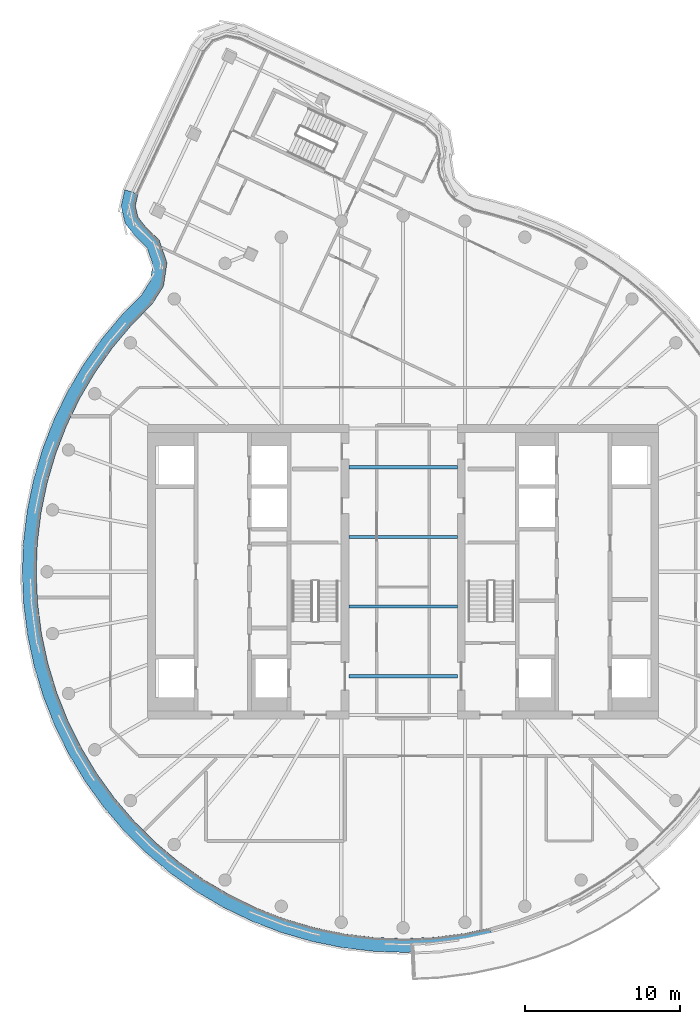
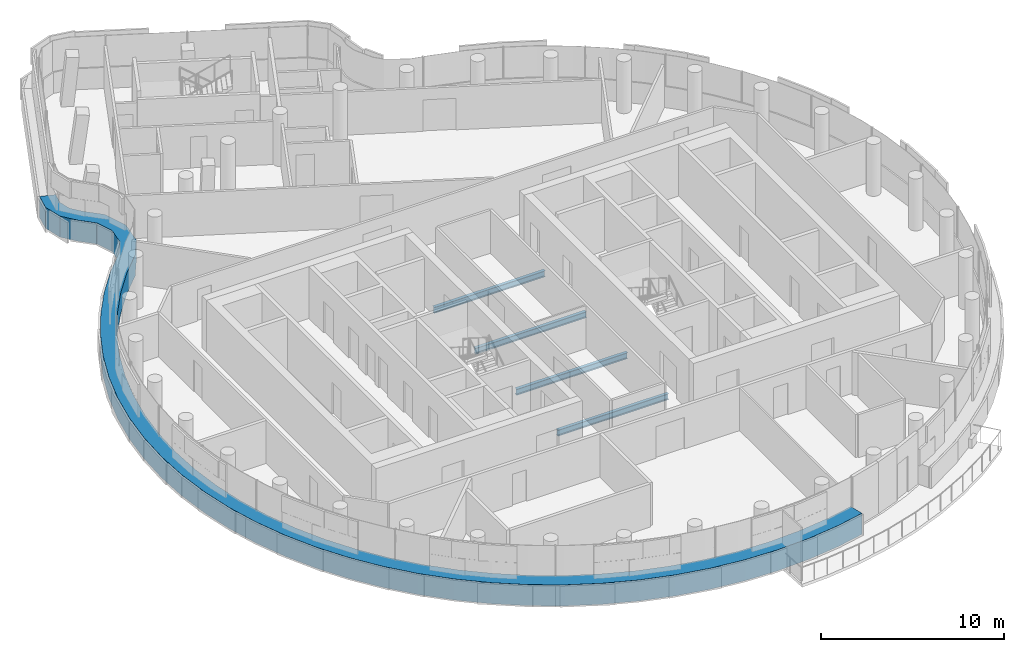
# One storey, part 5 of 21: 4 beams, 1 member, 1 element without a shape of its own.
"""IFC4 building model written with IfcOpenShell, lengths in metres."""

from ifc_helpers import new_model, si_unit, direction, frame, origin, origin_2d, place, context, subcontext, project, spatial, polyline, i_section, outline, extrude, material, layer, layer_set, material_profile, profile_set, type_object, element, aggregate, save


model = new_model("IFC4")

# Units and contexts
model_context = context("Model", 3, precision=1e-05, world=origin(), true_north=direction((0.0, 1.0)))
body_context = subcontext(model_context, "Body", "Model", "MODEL_VIEW")
ifc_project = project(units=[si_unit("LENGTHUNIT", "METRE"), si_unit("AREAUNIT", "SQUARE_METRE"), si_unit("VOLUMEUNIT", "CUBIC_METRE"), si_unit("PLANEANGLEUNIT", "RADIAN"), si_unit("MASSUNIT", "GRAM", prefix="KILO")], contexts=[model_context])

# Site, building, storey
site_placement = place(None, origin())
site = spatial("IfcSite", under=ifc_project, at=site_placement, CompositionType="ELEMENT")
building_placement = place(site_placement, origin())
building = spatial("IfcBuilding", under=site, at=building_placement, Name="Tamarind Cross Interchange Tower", CompositionType="ELEMENT")
storey_placement = place(building_placement, frame((0.0, 0.0, 267.60009765625)))
storey = spatial("IfcBuildingStorey", under=building, at=storey_placement, Name="L68", CompositionType="ELEMENT", Elevation=267.60009765625)

# Beams
ifc_material_1 = material(Name="Steel Q355B", Category="steel")
ifc_material_profile = material_profile(ifc_material_1, i_section(OverallWidth=0.199951171875, OverallDepth=0.39990234375, WebThickness=0.008056640625, FlangeThickness=0.012939453125, FilletRadius=0.01611328125, at=origin_2d()), Name="HN 400x200x8x13")
ifc_profile_set = profile_set([ifc_material_profile], Name="Steel Q355B")
beam_type = type_object("IfcBeamType", Name="Composite beam HN 400x200x8x13 Q355B", PredefinedType="BEAM", material=ifc_profile_set)
for number, where, z_axis, x_axis, name in (
    (1, (-3.5, -2.25, -0.340087890625), (1.0, 0.0, 0.0), (0.0, 1.0, 0.0), "Beam G-2.25"),
    (2, (-3.5, -6.75, -0.340087890625), (1.0, 0.0, 0.0), (0.0, 1.0, 0.0), "Beam G-6.75"),
    (3, (-3.5, 2.25, -0.340087890625), (1.0, 0.0, 0.0), (0.0, 1.0, 0.0), "Beam G2.25"),
    (4, (-3.5, 6.75, -0.340087890625), (1.0, 0.0, 0.0), (0.0, 1.0, 0.0), "Beam G6.75"),
):
    element("IfcBeam", number, at=place(storey_placement, frame(where, z_axis=z_axis, x_axis=x_axis)), inside=storey, type_object=beam_type, Name=name, PredefinedType="BEAM", context=body_context, shape_type="SweptSolid", body=[
        extrude(i_section(OverallWidth=0.199951171875, OverallDepth=0.39990234375, WebThickness=0.008056640625, FlangeThickness=0.012939453125, FilletRadius=0.01611328125, at=origin_2d()), origin(), (0.0, 0.0, 1.0), 7.0),
    ])

# Curtain wall, member
ifc_material_2 = material(Name="Aluminium 6063-T6", Category="aluminium")
ifc_layer = layer(ifc_material_2, 0.139892578125)
ifc_layer_set = layer_set([ifc_layer], Name="Aluminium 6063-T6")
curtain_wall_type = type_object("IfcCurtainWallType", Name="Hotel curtain wall, 4.5 m bays", PredefinedType="NOTDEFINED", material=ifc_layer_set)
curtain_wall_placement = place(storey_placement, origin())
curtain_wall = element("IfcCurtainWall", 5, at=curtain_wall_placement, inside=storey, type_object=curtain_wall_type, Name="CWS-L68-01", PredefinedType="NOTDEFINED")
ifc_material_3 = material(Name="Aluminium and insulated spandrel panel", Category="aluminium")
member_type = type_object("IfcMemberType", Name="Floor-edge blade transom", PredefinedType="USERDEFINED", material=ifc_material_3)
member_placement = place(storey_placement, origin())
member = element("IfcMember", 6, at=member_placement, type_object=member_type, Name="CWT-L68-01-0", ObjectType="TRANSOM", PredefinedType="USERDEFINED", context=body_context, shape_type="SweptSolid", body=[
    extrude(outline(polyline([(-17.121826171875, 24.389892578125), (-17.29052734375, 23.629150390625), (-17.1240234375, 22.903076171875), (-16.6318359375, 22.28076171875), (-15.75390625, 21.42236328125), (-15.249267578125, 19.96240234375), (-15.473388671875, 18.44091796875), (-16.223876953125, 17.26416015625), (-17.50244140625, 15.9736328125), (-18.76171875, 14.4736328125), (-19.892822265625, 12.874755859375), (-20.88818359375, 11.188232421875), (-21.74072265625, 9.425048828125), (-22.444580078125, 7.597412109375), (-22.995361328125, 5.718017578125), (-23.38916015625, 3.799560546875), (-23.623046875, 1.855224609375), (-23.695556640625, -0.10205078125), (-23.606201171875, -2.058349609375), (-23.35546875, -4.000732421875), (-22.9453125, -5.915771484375), (-22.37841796875, -7.790283203125), (-21.65869140625, -9.61181640625), (-20.791015625, -11.367431640625), (-19.78125, -13.045654296875), (-18.636474609375, -14.634521484375), (-17.3642578125, -16.12353515625), (-15.973388671875, -17.50244140625), (-14.4736328125, -18.76171875), (-12.874755859375, -19.892822265625), (-11.188232421875, -20.88818359375), (-9.425048828125, -21.74072265625), (-7.597412109375, -22.444580078125), (-5.718017578125, -22.995361328125), (-3.799560546875, -23.38916015625), (-1.855224609375, -23.623046875), (0.10205078125, -23.695556640625), (2.058349609375, -23.606201171875), (4.000732421875, -23.35546875), (5.61376953125, -23.010009765625), (5.8271484375, -23.884765625), (4.15283203125, -24.243408203125), (2.13671875, -24.50341796875), (0.10595703125, -24.59619140625), (-1.925537109375, -24.52099609375), (-3.944091796875, -24.2783203125), (-5.935302734375, -23.86962890625), (-7.88623046875, -23.2978515625), (-9.783203125, -22.567138671875), (-11.613525390625, -21.68212890625), (-13.3642578125, -20.64892578125), (-15.023681640625, -19.474853515625), (-16.580810546875, -18.167724609375), (-18.0244140625, -16.736572265625), (-19.344970703125, -15.19091796875), (-20.533203125, -13.54150390625), (-21.581298828125, -11.799560546875), (-22.482177734375, -9.97705078125), (-23.229248046875, -8.08642578125), (-23.817626953125, -6.140625), (-24.243408203125, -4.15283203125), (-24.50341796875, -2.13671875), (-24.59619140625, -0.10595703125), (-24.52099609375, 1.925537109375), (-24.2783203125, 3.944091796875), (-23.86962890625, 5.935302734375), (-23.2978515625, 7.88623046875), (-22.567138671875, 9.783203125), (-21.68212890625, 11.613525390625), (-20.64892578125, 13.3642578125), (-19.474853515625, 15.023681640625), (-18.167724609375, 16.58056640625), (-16.930908203125, 17.8291015625), (-16.335693359375, 18.762451171875), (-16.171875, 19.876220703125), (-16.53515625, 20.927490234375), (-17.30224609375, 21.677490234375), (-17.9560546875, 22.50390625), (-18.213134765625, 23.625732421875), (-17.978759765625, 24.6826171875), (-17.121826171875, 24.389892578125)])), origin(), (0.0, 0.0, 1.0), 1.39990234375),
])
aggregate(curtain_wall, [member])

save(model, "model.ifc")
